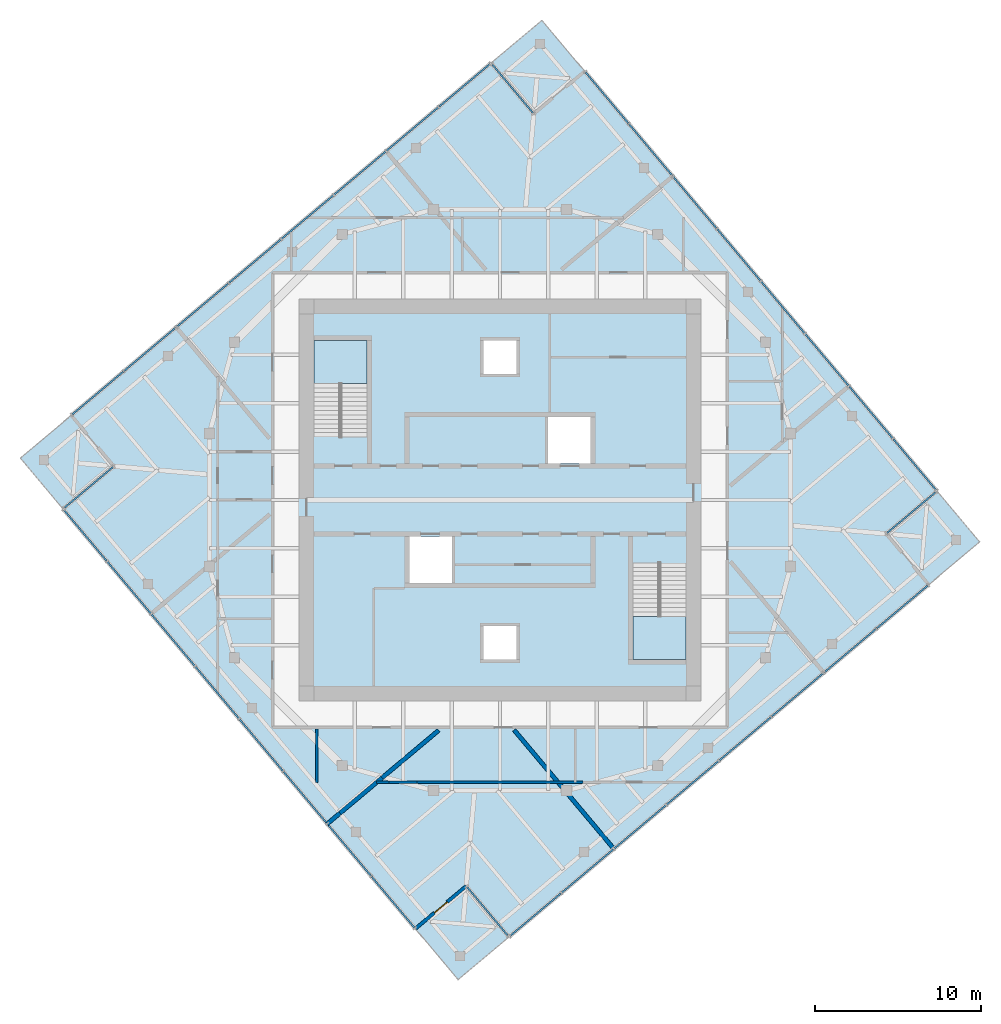
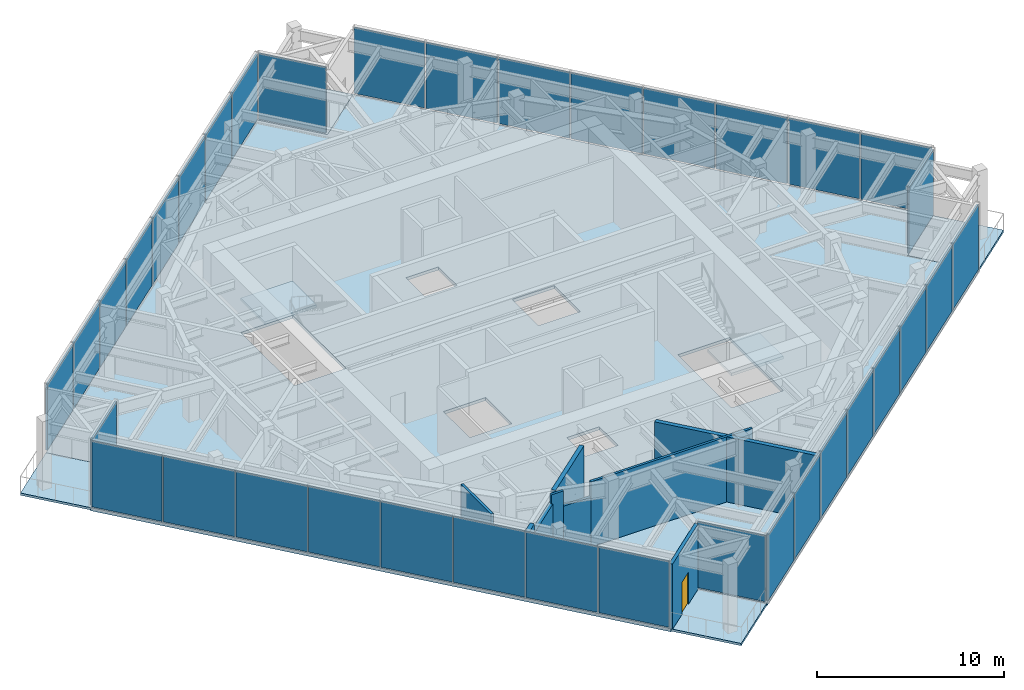
# One storey, part 7 of 11: 36 plates, 9 walls, 7 slabs, 1 door, 1 opening, 10 elements without a shape of their own.
"""IFC4 building model written with IfcOpenShell, lengths in metres."""

from ifc_helpers import new_model, si_unit, direction, frame, frame_2d, origin, origin_2d, place, context, subcontext, project, spatial, polyline, rectangle, outline, extrude, material, layer, layer_set, type_object, element, fill, aggregate, save


model = new_model("IFC4")

# Units and contexts
model_context = context("Model", 3, precision=1e-05, world=origin(), true_north=direction((0.0, 1.0)))
body_context = subcontext(model_context, "Body", "Model", "MODEL_VIEW")
ifc_project = project(units=[si_unit("LENGTHUNIT", "METRE"), si_unit("AREAUNIT", "SQUARE_METRE"), si_unit("VOLUMEUNIT", "CUBIC_METRE"), si_unit("PLANEANGLEUNIT", "RADIAN"), si_unit("MASSUNIT", "GRAM", prefix="KILO")], contexts=[model_context])

# Site, building, storey
site_placement = place(None, origin())
site = spatial("IfcSite", under=ifc_project, at=site_placement, CompositionType="ELEMENT")
building_placement = place(site_placement, origin())
building = spatial("IfcBuilding", under=site, at=building_placement, Name="Torsade Residences", CompositionType="ELEMENT")
storey_placement = place(building_placement, frame((0.0, 0.0, 304.300048828125)))
storey = spatial("IfcBuildingStorey", under=building, at=storey_placement, Name="L84", CompositionType="ELEMENT", Elevation=304.300048828125)

# Curtain wall, plates
ifc_material_1 = material(Name="Aluminium and glass", Category="aluminium")
curtain_wall_type = type_object("IfcCurtainWallType", Name="PLANT LEVEL LOUVRED CURTAIN WALL", PredefinedType="NOTDEFINED", material=ifc_material_1)
curtain_wall_1_placement = place(storey_placement, origin())
curtain_wall_1 = element("IfcCurtainWall", 1, at=curtain_wall_1_placement, inside=storey, type_object=curtain_wall_type, Name="Curtain wall L84 face 1", PredefinedType="NOTDEFINED")
ifc_material_2 = material(Name="Aluminium louvre", Category="aluminium")
ifc_layer_1 = layer(ifc_material_2, 0.10009765625)
ifc_layer_set_1 = layer_set([ifc_layer_1], Name="Aluminium louvre")
plate_type = type_object("IfcPlateType", Name="ALUMINIUM LOUVRE PANEL", PredefinedType="CURTAIN_PANEL", material=ifc_layer_set_1)
plate_1_placement = place(storey_placement, frame((42.1328125, 5.02880859375, 0.10986328125), z_axis=(0.0, 0.0, 1.0), x_axis=(0.766044437106, 0.642787616853, 0.0)))
plate_1 = element("IfcPlate", 2, at=plate_1_placement, type_object=plate_type, Name="Panel 1", PredefinedType="CURTAIN_PANEL", context=body_context, shape_type="SweptSolid", body=[
    extrude(rectangle(XDim=4.0048828125, YDim=0.10009765625, at=origin_2d()), origin(), (0.0, 0.0, 1.0), 4.280029296875),
])
plate_2_placement = place(storey_placement, frame((45.27734375, 7.667236328125, 0.10986328125), z_axis=(0.0, 0.0, 1.0), x_axis=(0.766044437106, 0.642787616853, 0.0)))
plate_2 = element("IfcPlate", 3, at=plate_2_placement, type_object=plate_type, Name="Panel 2", PredefinedType="CURTAIN_PANEL", context=body_context, shape_type="SweptSolid", body=[
    extrude(rectangle(XDim=4.044921875, YDim=0.10009765625, at=origin_2d()), origin(), (0.0, 0.0, 1.0), 4.280029296875),
])
plate_3_placement = place(storey_placement, frame((48.437255859375, 10.31884765625, 0.10986328125), z_axis=(0.0, 0.0, 1.0), x_axis=(0.766044437106, 0.642787616853, 0.0)))
plate_3 = element("IfcPlate", 4, at=plate_3_placement, type_object=plate_type, Name="Panel 3", PredefinedType="CURTAIN_PANEL", context=body_context, shape_type="SweptSolid", body=[
    extrude(rectangle(XDim=4.044921875, YDim=0.10009765625, at=origin_2d()), origin(), (0.0, 0.0, 1.0), 4.280029296875),
])
plate_4_placement = place(storey_placement, frame((51.59716796875, 12.970458984375, 0.10986328125), z_axis=(0.0, 0.0, 1.0), x_axis=(0.766044437106, 0.642787616853, 0.0)))
plate_4 = element("IfcPlate", 5, at=plate_4_placement, type_object=plate_type, Name="Panel 4", PredefinedType="CURTAIN_PANEL", context=body_context, shape_type="SweptSolid", body=[
    extrude(rectangle(XDim=4.044921875, YDim=0.10009765625, at=origin_2d()), origin(), (0.0, 0.0, 1.0), 4.280029296875),
])
plate_5_placement = place(storey_placement, frame((54.757080078125, 15.621826171875, 0.10986328125), z_axis=(0.0, 0.0, 1.0), x_axis=(0.766044437106, 0.642787616853, 0.0)))
plate_5 = element("IfcPlate", 6, at=plate_5_placement, type_object=plate_type, Name="Panel 5", PredefinedType="CURTAIN_PANEL", context=body_context, shape_type="SweptSolid", body=[
    extrude(rectangle(XDim=4.044921875, YDim=0.10009765625, at=origin_2d()), origin(), (0.0, 0.0, 1.0), 4.280029296875),
])
plate_6_placement = place(storey_placement, frame((57.9169921875, 18.2734375, 0.10986328125), z_axis=(0.0, 0.0, 1.0), x_axis=(0.766044437106, 0.642787616853, 0.0)))
plate_6 = element("IfcPlate", 7, at=plate_6_placement, type_object=plate_type, Name="Panel 6", PredefinedType="CURTAIN_PANEL", context=body_context, shape_type="SweptSolid", body=[
    extrude(rectangle(XDim=4.044921875, YDim=0.10009765625, at=origin_2d()), origin(), (0.0, 0.0, 1.0), 4.280029296875),
])
plate_7_placement = place(storey_placement, frame((61.076904296875, 20.9248046875, 0.10986328125), z_axis=(0.0, 0.0, 1.0), x_axis=(0.766044437106, 0.642787616853, 0.0)))
plate_7 = element("IfcPlate", 8, at=plate_7_placement, type_object=plate_type, Name="Panel 7", PredefinedType="CURTAIN_PANEL", context=body_context, shape_type="SweptSolid", body=[
    extrude(rectangle(XDim=4.044921875, YDim=0.10009765625, at=origin_2d()), origin(), (0.0, 0.0, 1.0), 4.280029296875),
])
plate_8_placement = place(storey_placement, frame((64.2216796875, 23.5634765625, 0.10986328125), z_axis=(0.0, 0.0, 1.0), x_axis=(0.766044437106, 0.642787616853, 0.0)))
plate_8 = element("IfcPlate", 9, at=plate_8_placement, type_object=plate_type, Name="Panel 8", PredefinedType="CURTAIN_PANEL", context=body_context, shape_type="SweptSolid", body=[
    extrude(rectangle(XDim=4.0048828125, YDim=0.10009765625, at=origin_2d()), origin(), (0.0, 0.0, 1.0), 4.280029296875),
])
aggregate(curtain_wall_1, [plate_1, plate_2, plate_3, plate_4, plate_5, plate_6, plate_7, plate_8])

# Curtain wall, plate
curtain_wall_2_placement = place(storey_placement, origin())
curtain_wall_2 = element("IfcCurtainWall", 10, at=curtain_wall_2_placement, inside=storey, type_object=curtain_wall_type, Name="Curtain wall L84 face 3", PredefinedType="NOTDEFINED")
plate_9_placement = place(storey_placement, frame((64.77783203125, 29.251953125, 0.10986328125), z_axis=(0.0, 0.0, 1.0), x_axis=(0.766044397526, 0.642787664022, 0.0)))
plate_9 = element("IfcPlate", 11, at=plate_9_placement, type_object=plate_type, Name="Panel 1", PredefinedType="CURTAIN_PANEL", context=body_context, shape_type="SweptSolid", body=[
    extrude(rectangle(XDim=3.840087890625, YDim=0.10009765625, at=origin_2d()), origin(), (0.0, 0.0, 1.0), 4.280029296875),
])
aggregate(curtain_wall_2, [plate_9])

# Curtain wall, plates
curtain_wall_3_placement = place(storey_placement, origin())
curtain_wall_3 = element("IfcCurtainWall", 12, at=curtain_wall_3_placement, inside=storey, type_object=curtain_wall_type, Name="Curtain wall L84 face 4", PredefinedType="NOTDEFINED")
plate_10_placement = place(storey_placement, frame((64.97119140625, 32.1328125, 0.10986328125), z_axis=(0.0, 0.0, 1.0), x_axis=(-0.642787616853, 0.766044437106, 0.0)))
plate_10 = element("IfcPlate", 13, at=plate_10_placement, type_object=plate_type, Name="Panel 1", PredefinedType="CURTAIN_PANEL", context=body_context, shape_type="SweptSolid", body=[
    extrude(rectangle(XDim=4.0048828125, YDim=0.10009765625, at=origin_2d()), origin(), (0.0, 0.0, 1.0), 4.280029296875),
])
plate_11_placement = place(storey_placement, frame((62.332763671875, 35.27734375, 0.10986328125), z_axis=(0.0, 0.0, 1.0), x_axis=(-0.642787616853, 0.766044437106, 0.0)))
plate_11 = element("IfcPlate", 14, at=plate_11_placement, type_object=plate_type, Name="Panel 2", PredefinedType="CURTAIN_PANEL", context=body_context, shape_type="SweptSolid", body=[
    extrude(rectangle(XDim=4.044921875, YDim=0.10009765625, at=origin_2d()), origin(), (0.0, 0.0, 1.0), 4.280029296875),
])
plate_12_placement = place(storey_placement, frame((59.68115234375, 38.437255859375, 0.10986328125), z_axis=(0.0, 0.0, 1.0), x_axis=(-0.642787616853, 0.766044437106, 0.0)))
plate_12 = element("IfcPlate", 15, at=plate_12_placement, type_object=plate_type, Name="Panel 3", PredefinedType="CURTAIN_PANEL", context=body_context, shape_type="SweptSolid", body=[
    extrude(rectangle(XDim=4.044921875, YDim=0.10009765625, at=origin_2d()), origin(), (0.0, 0.0, 1.0), 4.280029296875),
])
plate_13_placement = place(storey_placement, frame((57.029541015625, 41.59716796875, 0.10986328125), z_axis=(0.0, 0.0, 1.0), x_axis=(-0.642787616853, 0.766044437106, 0.0)))
plate_13 = element("IfcPlate", 16, at=plate_13_placement, type_object=plate_type, Name="Panel 4", PredefinedType="CURTAIN_PANEL", context=body_context, shape_type="SweptSolid", body=[
    extrude(rectangle(XDim=4.044921875, YDim=0.10009765625, at=origin_2d()), origin(), (0.0, 0.0, 1.0), 4.280029296875),
])
plate_14_placement = place(storey_placement, frame((54.378173828125, 44.757080078125, 0.10986328125), z_axis=(0.0, 0.0, 1.0), x_axis=(-0.642787616853, 0.766044437106, 0.0)))
plate_14 = element("IfcPlate", 17, at=plate_14_placement, type_object=plate_type, Name="Panel 5", PredefinedType="CURTAIN_PANEL", context=body_context, shape_type="SweptSolid", body=[
    extrude(rectangle(XDim=4.044921875, YDim=0.10009765625, at=origin_2d()), origin(), (0.0, 0.0, 1.0), 4.280029296875),
])
plate_15_placement = place(storey_placement, frame((51.7265625, 47.9169921875, 0.10986328125), z_axis=(0.0, 0.0, 1.0), x_axis=(-0.642787616853, 0.766044437106, 0.0)))
plate_15 = element("IfcPlate", 18, at=plate_15_placement, type_object=plate_type, Name="Panel 6", PredefinedType="CURTAIN_PANEL", context=body_context, shape_type="SweptSolid", body=[
    extrude(rectangle(XDim=4.044921875, YDim=0.10009765625, at=origin_2d()), origin(), (0.0, 0.0, 1.0), 4.280029296875),
])
plate_16_placement = place(storey_placement, frame((49.0751953125, 51.076904296875, 0.10986328125), z_axis=(0.0, 0.0, 1.0), x_axis=(-0.642787616853, 0.766044437106, 0.0)))
plate_16 = element("IfcPlate", 19, at=plate_16_placement, type_object=plate_type, Name="Panel 7", PredefinedType="CURTAIN_PANEL", context=body_context, shape_type="SweptSolid", body=[
    extrude(rectangle(XDim=4.044921875, YDim=0.10009765625, at=origin_2d()), origin(), (0.0, 0.0, 1.0), 4.280029296875),
])
plate_17_placement = place(storey_placement, frame((46.4365234375, 54.2216796875, 0.10986328125), z_axis=(0.0, 0.0, 1.0), x_axis=(-0.642787616853, 0.766044437106, 0.0)))
plate_17 = element("IfcPlate", 20, at=plate_17_placement, type_object=plate_type, Name="Panel 8", PredefinedType="CURTAIN_PANEL", context=body_context, shape_type="SweptSolid", body=[
    extrude(rectangle(XDim=4.0048828125, YDim=0.10009765625, at=origin_2d()), origin(), (0.0, 0.0, 1.0), 4.280029296875),
])
aggregate(curtain_wall_3, [plate_10, plate_11, plate_12, plate_13, plate_14, plate_15, plate_16, plate_17])

# Curtain wall, plate
curtain_wall_4_placement = place(storey_placement, origin())
curtain_wall_4 = element("IfcCurtainWall", 21, at=curtain_wall_4_placement, inside=storey, type_object=curtain_wall_type, Name="Curtain wall L84 face 6", PredefinedType="NOTDEFINED")
plate_18_placement = place(storey_placement, frame((40.748046875, 54.77783203125, 0.10986328125), z_axis=(0.0, 0.0, 1.0), x_axis=(-0.642787664022, 0.766044397526, 0.0)))
plate_18 = element("IfcPlate", 22, at=plate_18_placement, type_object=plate_type, Name="Panel 1", PredefinedType="CURTAIN_PANEL", context=body_context, shape_type="SweptSolid", body=[
    extrude(rectangle(XDim=3.840087890625, YDim=0.10009765625, at=origin_2d()), origin(), (0.0, 0.0, 1.0), 4.280029296875),
])
aggregate(curtain_wall_4, [plate_18])

# Curtain wall, plates
curtain_wall_5_placement = place(storey_placement, origin())
curtain_wall_5 = element("IfcCurtainWall", 23, at=curtain_wall_5_placement, inside=storey, type_object=curtain_wall_type, Name="Curtain wall L84 face 7", PredefinedType="NOTDEFINED")
plate_19_placement = place(storey_placement, frame((37.8671875, 54.97119140625, 0.10986328125), z_axis=(0.0, 0.0, 1.0), x_axis=(-0.766044437106, -0.642787616853, 0.0)))
plate_19 = element("IfcPlate", 24, at=plate_19_placement, type_object=plate_type, Name="Panel 1", PredefinedType="CURTAIN_PANEL", context=body_context, shape_type="SweptSolid", body=[
    extrude(rectangle(XDim=4.0048828125, YDim=0.10009765625, at=origin_2d()), origin(), (0.0, 0.0, 1.0), 4.280029296875),
])
plate_20_placement = place(storey_placement, frame((34.72265625, 52.332763671875, 0.10986328125), z_axis=(0.0, 0.0, 1.0), x_axis=(-0.766044437106, -0.642787616853, 0.0)))
plate_20 = element("IfcPlate", 25, at=plate_20_placement, type_object=plate_type, Name="Panel 2", PredefinedType="CURTAIN_PANEL", context=body_context, shape_type="SweptSolid", body=[
    extrude(rectangle(XDim=4.044921875, YDim=0.10009765625, at=origin_2d()), origin(), (0.0, 0.0, 1.0), 4.280029296875),
])
plate_21_placement = place(storey_placement, frame((31.562744140625, 49.68115234375, 0.10986328125), z_axis=(0.0, 0.0, 1.0), x_axis=(-0.766044437106, -0.642787616853, 0.0)))
plate_21 = element("IfcPlate", 26, at=plate_21_placement, type_object=plate_type, Name="Panel 3", PredefinedType="CURTAIN_PANEL", context=body_context, shape_type="SweptSolid", body=[
    extrude(rectangle(XDim=4.044921875, YDim=0.10009765625, at=origin_2d()), origin(), (0.0, 0.0, 1.0), 4.280029296875),
])
plate_22_placement = place(storey_placement, frame((28.40283203125, 47.029541015625, 0.10986328125), z_axis=(0.0, 0.0, 1.0), x_axis=(-0.766044437106, -0.642787616853, 0.0)))
plate_22 = element("IfcPlate", 27, at=plate_22_placement, type_object=plate_type, Name="Panel 4", PredefinedType="CURTAIN_PANEL", context=body_context, shape_type="SweptSolid", body=[
    extrude(rectangle(XDim=4.044921875, YDim=0.10009765625, at=origin_2d()), origin(), (0.0, 0.0, 1.0), 4.280029296875),
])
plate_23_placement = place(storey_placement, frame((25.242919921875, 44.378173828125, 0.10986328125), z_axis=(0.0, 0.0, 1.0), x_axis=(-0.766044437106, -0.642787616853, 0.0)))
plate_23 = element("IfcPlate", 28, at=plate_23_placement, type_object=plate_type, Name="Panel 5", PredefinedType="CURTAIN_PANEL", context=body_context, shape_type="SweptSolid", body=[
    extrude(rectangle(XDim=4.044921875, YDim=0.10009765625, at=origin_2d()), origin(), (0.0, 0.0, 1.0), 4.280029296875),
])
plate_24_placement = place(storey_placement, frame((22.0830078125, 41.7265625, 0.10986328125), z_axis=(0.0, 0.0, 1.0), x_axis=(-0.766044437106, -0.642787616853, 0.0)))
plate_24 = element("IfcPlate", 29, at=plate_24_placement, type_object=plate_type, Name="Panel 6", PredefinedType="CURTAIN_PANEL", context=body_context, shape_type="SweptSolid", body=[
    extrude(rectangle(XDim=4.044921875, YDim=0.10009765625, at=origin_2d()), origin(), (0.0, 0.0, 1.0), 4.280029296875),
])
plate_25_placement = place(storey_placement, frame((18.923095703125, 39.0751953125, 0.10986328125), z_axis=(0.0, 0.0, 1.0), x_axis=(-0.766044437106, -0.642787616853, 0.0)))
plate_25 = element("IfcPlate", 30, at=plate_25_placement, type_object=plate_type, Name="Panel 7", PredefinedType="CURTAIN_PANEL", context=body_context, shape_type="SweptSolid", body=[
    extrude(rectangle(XDim=4.044921875, YDim=0.10009765625, at=origin_2d()), origin(), (0.0, 0.0, 1.0), 4.280029296875),
])
plate_26_placement = place(storey_placement, frame((15.7783203125, 36.4365234375, 0.10986328125), z_axis=(0.0, 0.0, 1.0), x_axis=(-0.766044437106, -0.642787616853, 0.0)))
plate_26 = element("IfcPlate", 31, at=plate_26_placement, type_object=plate_type, Name="Panel 8", PredefinedType="CURTAIN_PANEL", context=body_context, shape_type="SweptSolid", body=[
    extrude(rectangle(XDim=4.0048828125, YDim=0.10009765625, at=origin_2d()), origin(), (0.0, 0.0, 1.0), 4.280029296875),
])
aggregate(curtain_wall_5, [plate_19, plate_20, plate_21, plate_22, plate_23, plate_24, plate_25, plate_26])

# Curtain wall, plate
curtain_wall_6_placement = place(storey_placement, origin())
curtain_wall_6 = element("IfcCurtainWall", 32, at=curtain_wall_6_placement, inside=storey, type_object=curtain_wall_type, Name="Curtain wall L84 face 9", PredefinedType="NOTDEFINED")
plate_27_placement = place(storey_placement, frame((15.22216796875, 30.748046875, 0.10986328125), z_axis=(0.0, 0.0, 1.0), x_axis=(-0.766044397526, -0.642787664022, 0.0)))
plate_27 = element("IfcPlate", 33, at=plate_27_placement, type_object=plate_type, Name="Panel 1", PredefinedType="CURTAIN_PANEL", context=body_context, shape_type="SweptSolid", body=[
    extrude(rectangle(XDim=3.840087890625, YDim=0.10009765625, at=origin_2d()), origin(), (0.0, 0.0, 1.0), 4.280029296875),
])
aggregate(curtain_wall_6, [plate_27])

# Curtain wall, plates
curtain_wall_7_placement = place(storey_placement, origin())
curtain_wall_7 = element("IfcCurtainWall", 34, at=curtain_wall_7_placement, inside=storey, type_object=curtain_wall_type, Name="Curtain wall L84 face 10", PredefinedType="NOTDEFINED")
plate_28_placement = place(storey_placement, frame((15.02880859375, 27.8671875, 0.10986328125), z_axis=(0.0, 0.0, 1.0), x_axis=(0.642787616853, -0.766044437106, 0.0)))
plate_28 = element("IfcPlate", 35, at=plate_28_placement, type_object=plate_type, Name="Panel 1", PredefinedType="CURTAIN_PANEL", context=body_context, shape_type="SweptSolid", body=[
    extrude(rectangle(XDim=4.0048828125, YDim=0.10009765625, at=origin_2d()), origin(), (0.0, 0.0, 1.0), 4.280029296875),
])
plate_29_placement = place(storey_placement, frame((17.667236328125, 24.72265625, 0.10986328125), z_axis=(0.0, 0.0, 1.0), x_axis=(0.642787616853, -0.766044437106, 0.0)))
plate_29 = element("IfcPlate", 36, at=plate_29_placement, type_object=plate_type, Name="Panel 2", PredefinedType="CURTAIN_PANEL", context=body_context, shape_type="SweptSolid", body=[
    extrude(rectangle(XDim=4.044921875, YDim=0.10009765625, at=origin_2d()), origin(), (0.0, 0.0, 1.0), 4.280029296875),
])
plate_30_placement = place(storey_placement, frame((20.31884765625, 21.562744140625, 0.10986328125), z_axis=(0.0, 0.0, 1.0), x_axis=(0.642787616853, -0.766044437106, 0.0)))
plate_30 = element("IfcPlate", 37, at=plate_30_placement, type_object=plate_type, Name="Panel 3", PredefinedType="CURTAIN_PANEL", context=body_context, shape_type="SweptSolid", body=[
    extrude(rectangle(XDim=4.044921875, YDim=0.10009765625, at=origin_2d()), origin(), (0.0, 0.0, 1.0), 4.280029296875),
])
plate_31_placement = place(storey_placement, frame((22.970458984375, 18.40283203125, 0.10986328125), z_axis=(0.0, 0.0, 1.0), x_axis=(0.642787616853, -0.766044437106, 0.0)))
plate_31 = element("IfcPlate", 38, at=plate_31_placement, type_object=plate_type, Name="Panel 4", PredefinedType="CURTAIN_PANEL", context=body_context, shape_type="SweptSolid", body=[
    extrude(rectangle(XDim=4.044921875, YDim=0.10009765625, at=origin_2d()), origin(), (0.0, 0.0, 1.0), 4.280029296875),
])
plate_32_placement = place(storey_placement, frame((25.621826171875, 15.242919921875, 0.10986328125), z_axis=(0.0, 0.0, 1.0), x_axis=(0.642787616853, -0.766044437106, 0.0)))
plate_32 = element("IfcPlate", 39, at=plate_32_placement, type_object=plate_type, Name="Panel 5", PredefinedType="CURTAIN_PANEL", context=body_context, shape_type="SweptSolid", body=[
    extrude(rectangle(XDim=4.044921875, YDim=0.10009765625, at=origin_2d()), origin(), (0.0, 0.0, 1.0), 4.280029296875),
])
plate_33_placement = place(storey_placement, frame((28.2734375, 12.0830078125, 0.10986328125), z_axis=(0.0, 0.0, 1.0), x_axis=(0.642787616853, -0.766044437106, 0.0)))
plate_33 = element("IfcPlate", 40, at=plate_33_placement, type_object=plate_type, Name="Panel 6", PredefinedType="CURTAIN_PANEL", context=body_context, shape_type="SweptSolid", body=[
    extrude(rectangle(XDim=4.044921875, YDim=0.10009765625, at=origin_2d()), origin(), (0.0, 0.0, 1.0), 4.280029296875),
])
plate_34_placement = place(storey_placement, frame((30.9248046875, 8.923095703125, 0.10986328125), z_axis=(0.0, 0.0, 1.0), x_axis=(0.642787616853, -0.766044437106, 0.0)))
plate_34 = element("IfcPlate", 41, at=plate_34_placement, type_object=plate_type, Name="Panel 7", PredefinedType="CURTAIN_PANEL", context=body_context, shape_type="SweptSolid", body=[
    extrude(rectangle(XDim=4.044921875, YDim=0.10009765625, at=origin_2d()), origin(), (0.0, 0.0, 1.0), 4.280029296875),
])
plate_35_placement = place(storey_placement, frame((33.5634765625, 5.7783203125, 0.10986328125), z_axis=(0.0, 0.0, 1.0), x_axis=(0.642787616853, -0.766044437106, 0.0)))
plate_35 = element("IfcPlate", 42, at=plate_35_placement, type_object=plate_type, Name="Panel 8", PredefinedType="CURTAIN_PANEL", context=body_context, shape_type="SweptSolid", body=[
    extrude(rectangle(XDim=4.0048828125, YDim=0.10009765625, at=origin_2d()), origin(), (0.0, 0.0, 1.0), 4.280029296875),
])
aggregate(curtain_wall_7, [plate_28, plate_29, plate_30, plate_31, plate_32, plate_33, plate_34, plate_35])

# Curtain wall, plate
curtain_wall_8_placement = place(storey_placement, origin())
curtain_wall_8 = element("IfcCurtainWall", 43, at=curtain_wall_8_placement, inside=storey, type_object=curtain_wall_type, Name="Curtain wall L84 face 12", PredefinedType="NOTDEFINED")
plate_36_placement = place(storey_placement, frame((39.251953125, 5.22216796875, 0.10986328125), z_axis=(0.0, 0.0, 1.0), x_axis=(0.642787664022, -0.766044397526, 0.0)))
plate_36 = element("IfcPlate", 44, at=plate_36_placement, type_object=plate_type, Name="Panel 1", PredefinedType="CURTAIN_PANEL", context=body_context, shape_type="SweptSolid", body=[
    extrude(rectangle(XDim=3.840087890625, YDim=0.10009765625, at=origin_2d()), origin(), (0.0, 0.0, 1.0), 4.280029296875),
])
aggregate(curtain_wall_8, [plate_36])

# Slab
ifc_material_3 = material(Name="Concrete 40 MPa", Category="concrete")
ifc_layer_2 = layer(ifc_material_3, 0.199951171875)
ifc_layer_set_2 = layer_set([ifc_layer_2], Name="Concrete 40 MPa")
slab_type_1 = type_object("IfcSlabType", Name="PLANT FLOOR SLAB 200", PredefinedType="FLOOR", material=ifc_layer_set_2)
slab_1_placement = place(storey_placement, frame((0.0, 0.0, -0.199951171875)))
element("IfcSlab", 45, at=slab_1_placement, inside=storey, type_object=slab_type_1, Name="Floor slab L84", PredefinedType="FLOOR", context=body_context, shape_type="SweptSolid", body=[
    extrude(outline(polyline([(40.537353515625, 3.690185546875), (65.81689453125, 24.902099609375), (63.245849609375, 27.96630859375), (66.309814453125, 30.537353515625), (45.097900390625, 55.81689453125), (42.03369140625, 53.245849609375), (39.462646484375, 56.309814453125), (14.18310546875, 35.097900390625), (16.754150390625, 32.03369140625), (13.690185546875, 29.462646484375), (34.902099609375, 4.18310546875), (37.96630859375, 6.754150390625), (40.537353515625, 3.690185546875)]), holes=[polyline([(51.199951171875, 26.1201171875), (48.0, 26.1201171875), (48.0, 20.39990234375), (51.199951171875, 20.39990234375), (51.199951171875, 26.1201171875)]), polyline([(42.89990234375, 35.0), (42.89990234375, 32.199951171875), (45.5, 32.199951171875), (45.5, 35.0), (42.89990234375, 35.0)]), polyline([(39.0, 22.39990234375), (39.0, 20.39990234375), (41.0, 20.39990234375), (41.0, 22.39990234375), (39.0, 22.39990234375)]), polyline([(41.0, 39.60009765625), (39.0, 39.60009765625), (39.0, 37.60009765625), (41.0, 37.60009765625), (41.0, 39.60009765625)]), polyline([(37.10009765625, 27.800048828125), (34.5, 27.800048828125), (34.5, 25.0), (37.10009765625, 25.0), (37.10009765625, 27.800048828125)]), polyline([(32.0, 39.60009765625), (28.800048828125, 39.60009765625), (28.800048828125, 33.8798828125), (32.0, 33.8798828125), (32.0, 39.60009765625)])]), origin(), (0.0, 0.0, 1.0), 0.199951171875),
])

# Stair, slab
ifc_material_4 = material(Name="Precast concrete 40 MPa", Category="concrete")
stair_type = type_object("IfcStairType", Name="HALF-TURN FIRE STAIR 1500x4500", PredefinedType="HALF_TURN_STAIR", material=ifc_material_4)
stair_1_placement = place(storey_placement, origin())
stair_1 = element("IfcStair", 46, at=stair_1_placement, inside=storey, type_object=stair_type, Name="Stair ST1 L84", PredefinedType="HALF_TURN_STAIR")
ifc_material_5 = material(Name="Precast concrete 40 MPa", Category="concrete")
ifc_layer_3 = layer(ifc_material_5, 0.179931640625)
ifc_layer_set_3 = layer_set([ifc_layer_3], Name="Precast concrete 40 MPa")
slab_type_2 = type_object("IfcSlabType", Name="PRECAST STAIR LANDING 180", PredefinedType="LANDING", material=ifc_layer_set_3)
slab_2_placement = place(storey_placement, frame((0.0, 0.0, 2.070068359375)))
slab_2 = element("IfcSlab", 47, at=slab_2_placement, type_object=slab_type_2, Name="ST1 landing 1", PredefinedType="LANDING", context=body_context, shape_type="SweptSolid", body=[
    extrude(outline(polyline([(28.800048828125, 37.02001953125), (32.0, 37.02001953125), (32.0, 39.60009765625), (28.800048828125, 39.60009765625), (28.800048828125, 37.02001953125)])), origin(), (0.0, 0.0, 1.0), 0.179931640625),
])
aggregate(stair_1, [slab_2])

stair_2_placement = place(storey_placement, origin())
stair_2 = element("IfcStair", 48, at=stair_2_placement, inside=storey, type_object=stair_type, Name="Stair ST2 L84", PredefinedType="HALF_TURN_STAIR")
slab_3_placement = place(storey_placement, frame((0.0, 0.0, 2.070068359375)))
slab_3 = element("IfcSlab", 49, at=slab_3_placement, type_object=slab_type_2, Name="ST2 landing 1", PredefinedType="LANDING", context=body_context, shape_type="SweptSolid", body=[
    extrude(outline(polyline([(48.0, 20.39990234375), (51.199951171875, 20.39990234375), (51.199951171875, 22.97998046875), (48.0, 22.97998046875), (48.0, 20.39990234375)])), origin(), (0.0, 0.0, 1.0), 0.179931640625),
])
aggregate(stair_2, [slab_3])

# Slabs
ifc_material_6 = material(Name="Concrete 40 MPa", Category="concrete")
ifc_layer_4 = layer(ifc_material_6, 0.14990234375)
ifc_layer_set_4 = layer_set([ifc_layer_4], Name="Concrete 40 MPa")
slab_type_3 = type_object("IfcSlabType", Name="TERRACE SLAB 150", PredefinedType="FLOOR", material=ifc_layer_set_4)
slab_4_placement = place(storey_placement, frame((0.0, 0.0, -0.150146484375)))
element("IfcSlab", 50, at=slab_4_placement, inside=storey, type_object=slab_type_3, Name="Corner plant deck slab SE L84", PredefinedType="FLOOR", context=body_context, shape_type="SweptSolid", body=[
    extrude(outline(polyline([(65.81689453125, 24.902099609375), (68.881103515625, 27.47314453125), (66.309814453125, 30.537353515625), (63.245849609375, 27.96630859375), (65.81689453125, 24.902099609375)])), origin(), (0.0, 0.0, 1.0), 0.150146484375),
])
slab_5_placement = place(storey_placement, frame((0.0, 0.0, -0.150146484375)))
element("IfcSlab", 51, at=slab_5_placement, inside=storey, type_object=slab_type_3, Name="Corner plant deck slab NE L84", PredefinedType="FLOOR", context=body_context, shape_type="SweptSolid", body=[
    extrude(outline(polyline([(42.03369140625, 53.245849609375), (45.097900390625, 55.81689453125), (42.52685546875, 58.881103515625), (39.462646484375, 56.309814453125), (42.03369140625, 53.245849609375)])), origin(), (0.0, 0.0, 1.0), 0.150146484375),
])
slab_6_placement = place(storey_placement, frame((0.0, 0.0, -0.150146484375)))
element("IfcSlab", 52, at=slab_6_placement, inside=storey, type_object=slab_type_3, Name="Corner plant deck slab NW L84", PredefinedType="FLOOR", context=body_context, shape_type="SweptSolid", body=[
    extrude(outline(polyline([(13.690185546875, 29.462646484375), (16.754150390625, 32.03369140625), (14.18310546875, 35.097900390625), (11.118896484375, 32.52685546875), (13.690185546875, 29.462646484375)])), origin(), (0.0, 0.0, 1.0), 0.150146484375),
])
slab_7_placement = place(storey_placement, frame((0.0, 0.0, -0.150146484375)))
element("IfcSlab", 53, at=slab_7_placement, inside=storey, type_object=slab_type_3, Name="Corner plant deck slab SW L84", PredefinedType="FLOOR", context=body_context, shape_type="SweptSolid", body=[
    extrude(outline(polyline([(37.47314453125, 1.118896484375), (40.537353515625, 3.690185546875), (37.96630859375, 6.754150390625), (34.902099609375, 4.18310546875), (37.47314453125, 1.118896484375)])), origin(), (0.0, 0.0, 1.0), 0.150146484375),
])

# Walls
ifc_material_7 = material(Name="Masonry-lined stud party wall", Category="masonry")
ifc_layer_5 = layer(ifc_material_7, 0.25)
ifc_layer_set_5 = layer_set([ifc_layer_5], Name="Masonry-lined stud party wall")
wall_type_1 = type_object("IfcWallType", Name="PARTY WALL 250", PredefinedType="PARTITIONING", material=ifc_layer_set_5)
wall_1_placement = place(storey_placement, frame((46.857177734375, 8.9931640625, 0.0), z_axis=(0.0, 0.0, 1.0), x_axis=(-0.64278692291, 0.766045019392, 0.0)))
element("IfcWall", 54, at=wall_1_placement, inside=storey, type_object=wall_type_1, Name="Party wall L84", PredefinedType="PARTITIONING", context=body_context, shape_type="SweptSolid", body=[
    extrude(rectangle(XDim=9.343017578125, YDim=0.25, at=frame_2d((4.67138671875, 0.0))), origin(), (0.0, 0.0, 1.0), 4.25),
])
wall_2_placement = place(storey_placement, frame((29.59912109375, 10.5029296875, 0.0), z_axis=(0.0, 0.0, 1.0), x_axis=(0.766055819685, 0.64277405138, 0.0)))
element("IfcWall", 55, at=wall_2_placement, inside=storey, type_object=wall_type_1, Name="Party wall L84", PredefinedType="PARTITIONING", context=body_context, shape_type="SweptSolid", body=[
    extrude(rectangle(XDim=1.0, YDim=0.25, at=frame_2d((0.5, 0.0))), origin(), (0.0, 0.0, 1.0), 4.25),
])
wall_3_placement = place(storey_placement, frame((30.365234375, 11.145751953125, 0.0), z_axis=(0.0, 0.0, 1.0), x_axis=(0.766014492995, 0.642823301165, 0.0)))
element("IfcWall", 56, at=wall_3_placement, inside=storey, type_object=wall_type_1, Name="Party wall L84", PredefinedType="PARTITIONING", context=body_context, shape_type="SweptSolid", body=[
    extrude(rectangle(XDim=3.3076171875, YDim=0.25, at=frame_2d((1.65380859375, 0.0))), origin(), (0.0, 0.0, 1.0), 3.637939453125),
])
wall_4_placement = place(storey_placement, frame((32.89892578125, 13.27197265625, 0.0), z_axis=(0.0, 0.0, 1.0), x_axis=(0.766051985436, 0.642778620996, 0.0)))
element("IfcWall", 57, at=wall_4_placement, inside=storey, type_object=wall_type_1, Name="Party wall L84", PredefinedType="PARTITIONING", context=body_context, shape_type="SweptSolid", body=[
    extrude(rectangle(XDim=4.4462890625, YDim=0.25, at=frame_2d((2.22314453125, 0.0))), origin(), (0.0, 0.0, 1.0), 4.25),
])

# Wall, opening, door
ifc_material_8 = material(Name="Stone-faced precast concrete 40 MPa panel", Category="masonry")
ifc_layer_6 = layer(ifc_material_8, 0.199951171875)
ifc_layer_set_6 = layer_set([ifc_layer_6], Name="Stone-faced precast concrete 40 MPa panel")
wall_type_2 = type_object("IfcWallType", Name="PLANT ROOM EXTERNAL WALL 200", PredefinedType="SOLIDWALL", material=ifc_layer_set_6)
wall_5_placement = place(storey_placement, frame((34.902099609375, 4.18310546875, 0.0), z_axis=(0.0, 0.0, 1.0), x_axis=(0.766060656284, 0.642768287094, 0.0)))
wall_5 = element("IfcWall", 58, at=wall_5_placement, inside=storey, type_object=wall_type_2, Name="Plant room wall L84 11", PredefinedType="SOLIDWALL", context=body_context, shape_type="SweptSolid", body=[
    extrude(rectangle(XDim=4.0, YDim=0.199951171875, at=frame_2d((2.0, 0.0))), origin(), (0.0, 0.0, 1.0), 4.25),
])
opening_placement = place(wall_5_placement, frame((1.489990234375, 0.0, 0.0)))
opening = element("IfcOpeningElement", 59, at=opening_placement, cuts=wall_5, Name="Opening D11", PredefinedType="OPENING", context=body_context, shape_type="SweptSolid", body=[
    extrude(rectangle(XDim=1.02001953125, YDim=2.10009765625, at=frame_2d((0.510009765625, 1.050048828125))), frame((0.0, 0.10986328125, 0.0), z_axis=(0.0, -1.0, 0.0), x_axis=(1.0, 0.0, 0.0)), (0.0, 0.0, 1.0), 0.219970703125),
])
ifc_material_9 = material(Name="Steel-framed external door", Category="steel")
door_type = type_object("IfcDoorType", Name="MAINTENANCE ROOF DOOR 1020", OperationType="NOTDEFINED", PredefinedType="DOOR", material=ifc_material_9)
door_placement = place(opening_placement, origin())
door = element("IfcDoor", 60, at=door_placement, inside=storey, type_object=door_type, Name="Terrace maintenance door L84 11", OperationType="SINGLE_SWING_LEFT", OverallHeight=2.10009765625, OverallWidth=1.02001953125, PredefinedType="DOOR", context=body_context, shape_type="SweptSolid", body=[
    extrude(rectangle(XDim=1.02001953125, YDim=2.10009765625, at=frame_2d((0.510009765625, 1.050048828125))), frame((0.0, 0.02490234375, 0.0), z_axis=(0.0, -1.0, 0.0), x_axis=(1.0, 0.0, 0.0)), (0.0, 0.0, 1.0), 0.050048828125),
])
fill(opening, door)

# Walls
ifc_material_10 = material(Name="Reinforced blockwork", Category="masonry")
ifc_layer_7 = layer(ifc_material_10, 0.14990234375)
ifc_layer_set_7 = layer_set([ifc_layer_7], Name="Reinforced blockwork")
wall_type_3 = type_object("IfcWallType", Name="SERVICE ROOM WALL 150", PredefinedType="SOLIDWALL", material=ifc_layer_set_7)
wall_6_placement = place(storey_placement, frame((28.9609375, 16.199951171875, 0.0), z_axis=(0.0, 0.0, 1.0), x_axis=(0.0, -1.0, 0.0)))
element("IfcWall", 61, at=wall_6_placement, inside=storey, type_object=wall_type_3, Name="Service room wall L84", PredefinedType="SOLIDWALL", context=body_context, shape_type="SweptSolid", body=[
    extrude(rectangle(XDim=3.199951171875, YDim=0.14990234375, at=frame_2d((1.60009765625, 0.0))), origin(), (0.0, 0.0, 1.0), 4.25),
])
wall_7_placement = place(storey_placement, frame((44.98828125, 13.0, 0.0), z_axis=(0.0, 0.0, 1.0), x_axis=(-1.0, 0.0, 0.0)))
element("IfcWall", 62, at=wall_7_placement, inside=storey, type_object=wall_type_3, Name="Service room wall L84", PredefinedType="SOLIDWALL", context=body_context, shape_type="SweptSolid", body=[
    extrude(rectangle(XDim=9.9765625, YDim=0.14990234375, at=frame_2d((4.98828125, 0.0))), origin(), (0.0, 0.0, 1.0), 4.25),
])
wall_8_placement = place(storey_placement, frame((35.01171875, 13.0, 0.0), z_axis=(0.0, 0.0, 1.0), x_axis=(-1.0, 0.0, 0.0)))
element("IfcWall", 63, at=wall_8_placement, inside=storey, type_object=wall_type_3, Name="Service room wall L84", PredefinedType="SOLIDWALL", context=body_context, shape_type="SweptSolid", body=[
    extrude(rectangle(XDim=1.690185546875, YDim=0.14990234375, at=frame_2d((0.84521484375, 0.0))), origin(), (0.0, 0.0, 1.0), 3.25),
])
wall_9_placement = place(storey_placement, frame((33.321533203125, 13.0, 0.0), z_axis=(0.0, 0.0, 1.0), x_axis=(-1.0, 0.0, 0.0)))
element("IfcWall", 64, at=wall_9_placement, inside=storey, type_object=wall_type_3, Name="Service room wall L84", PredefinedType="SOLIDWALL", context=body_context, shape_type="SweptSolid", body=[
    extrude(rectangle(XDim=0.74658203125, YDim=0.14990234375, at=frame_2d((0.373291015625, 0.0))), origin(), (0.0, 0.0, 1.0), 4.25),
])

save(model, "model.ifc")
